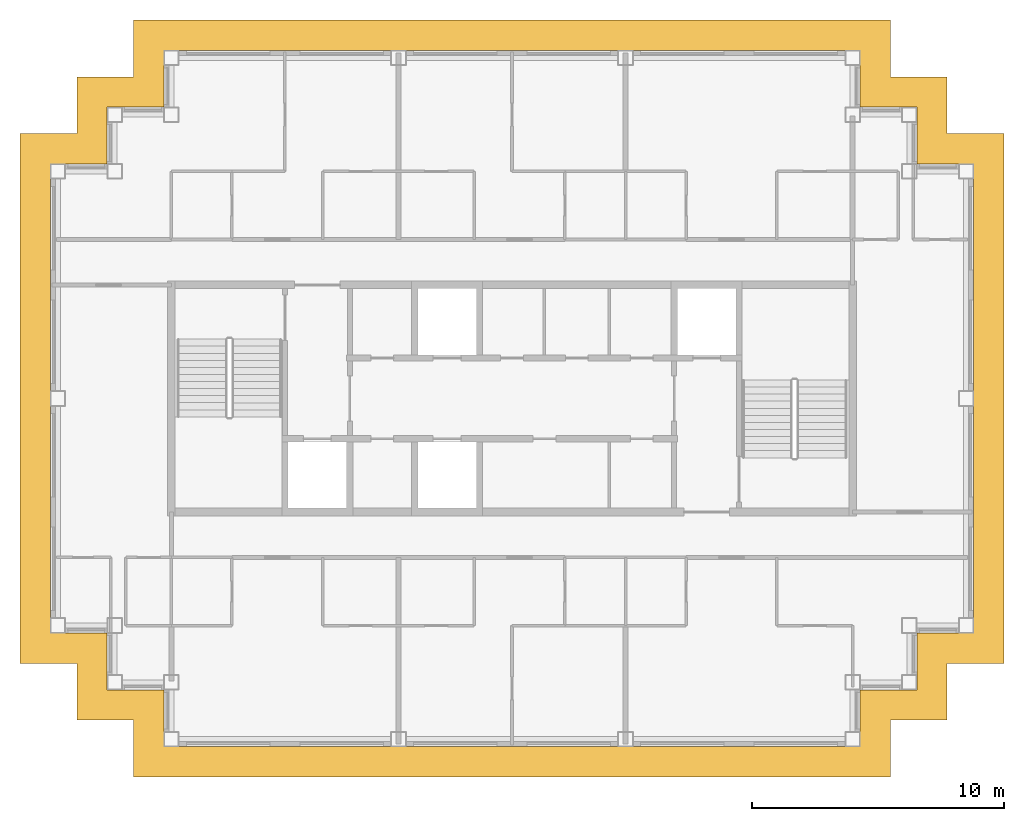
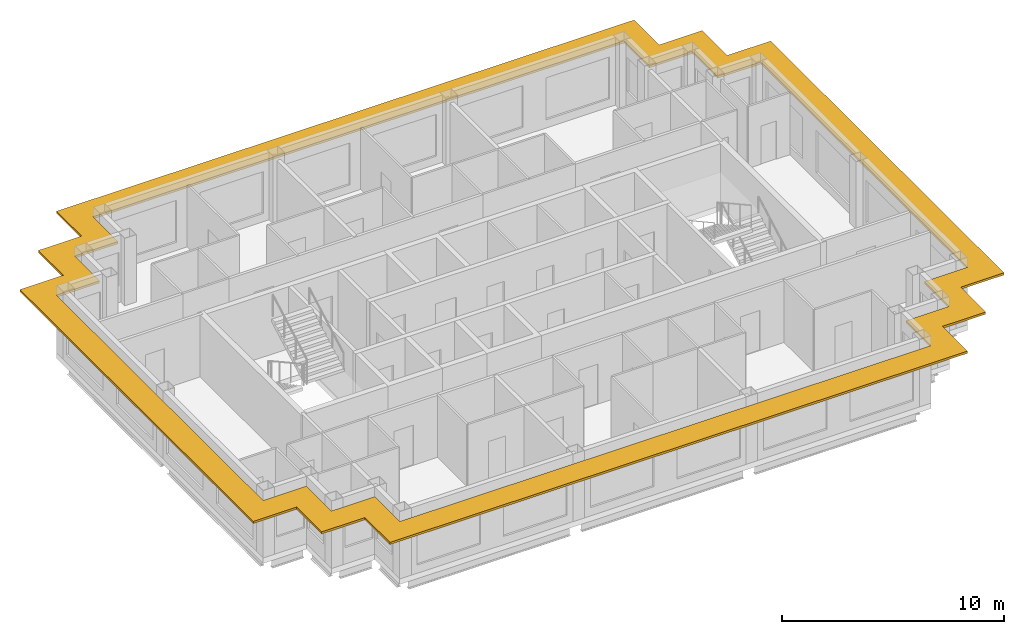
# One storey, part 10 of 11: 1 shading device.
"""IFC4 building model written with IfcOpenShell, lengths in metres."""

from ifc_helpers import new_model, si_unit, direction, frame, origin, place, context, subcontext, project, spatial, polyline, outline, extrude, material, layer, layer_set, type_object, element, save


model = new_model("IFC4")

# Units and contexts
model_context = context("Model", 3, precision=1e-05, world=origin(), true_north=direction((0.0, 1.0)))
body_context = subcontext(model_context, "Body", "Model", "MODEL_VIEW")
ifc_project = project(units=[si_unit("LENGTHUNIT", "METRE"), si_unit("AREAUNIT", "SQUARE_METRE"), si_unit("VOLUMEUNIT", "CUBIC_METRE"), si_unit("PLANEANGLEUNIT", "RADIAN"), si_unit("MASSUNIT", "GRAM", prefix="KILO")], contexts=[model_context])

# Site, building, storey
site_placement = place(None, origin())
site = spatial("IfcSite", under=ifc_project, at=site_placement, CompositionType="ELEMENT")
building_placement = place(site_placement, origin())
building = spatial("IfcBuilding", under=site, at=building_placement, Name="Caravel Reach Hotel and Residences", CompositionType="ELEMENT")
storey_placement = place(building_placement, frame((0.0, 0.0, 298.199951171875)))
storey = spatial("IfcBuildingStorey", under=building, at=storey_placement, Name="L76", CompositionType="ELEMENT", Elevation=298.199951171875)

# Shading device
ifc_material = material(Name="Black powder-coated aluminium", Category="aluminium")
ifc_layer = layer(ifc_material, 0.1201171875)
ifc_layer_set = layer_set([ifc_layer], Name="SS1 Sunshade band 1200")
shading_device_type = type_object("IfcShadingDeviceType", Name="SS1 Sunshade band 1200", PredefinedType="USERDEFINED", material=ifc_layer_set)
shading_device_placement = place(storey_placement, frame((0.0, 0.0, 3.0400390625)))
element("IfcShadingDevice", 1, at=shading_device_placement, inside=storey, type_object=shading_device_type, Name="Sunshade L76 1", ObjectType="SUNSHADE", PredefinedType="USERDEFINED", context=body_context, shape_type="SweptSolid", body=[
    extrude(outline(polyline([(16.5, 12.0), (46.5, 12.0), (46.5, 14.25), (48.75, 14.25), (48.75, 16.5), (51.0, 16.5), (51.0, 37.5), (48.75, 37.5), (48.75, 39.75), (46.5, 39.75), (46.5, 42.0), (16.5, 42.0), (16.5, 39.75), (14.25, 39.75), (14.25, 37.5), (12.0, 37.5), (12.0, 16.5), (14.25, 16.5), (14.25, 14.25), (16.5, 14.25), (16.5, 12.0)]), holes=[polyline([(45.300048828125, 15.449951171875), (45.300048828125, 13.199951171875), (17.699951171875, 13.199951171875), (17.699951171875, 15.449951171875), (15.449951171875, 15.449951171875), (15.449951171875, 17.699951171875), (13.199951171875, 17.699951171875), (13.199951171875, 36.300048828125), (15.449951171875, 36.300048828125), (15.449951171875, 38.550048828125), (17.699951171875, 38.550048828125), (17.699951171875, 40.800048828125), (45.300048828125, 40.800048828125), (45.300048828125, 38.550048828125), (47.550048828125, 38.550048828125), (47.550048828125, 36.300048828125), (49.800048828125, 36.300048828125), (49.800048828125, 17.699951171875), (47.550048828125, 17.699951171875), (47.550048828125, 15.449951171875), (45.300048828125, 15.449951171875)])]), origin(), (0.0, 0.0, 1.0), 0.1201171875),
])

save(model, "model.ifc")
